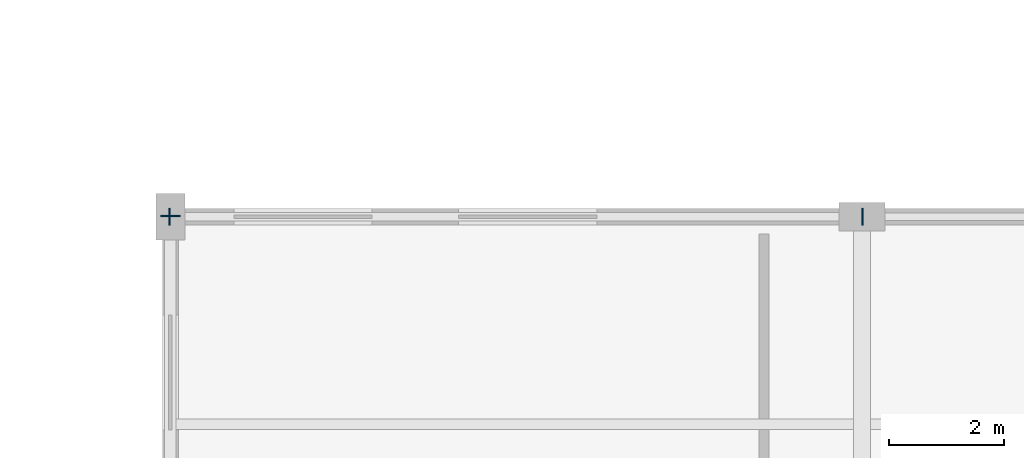
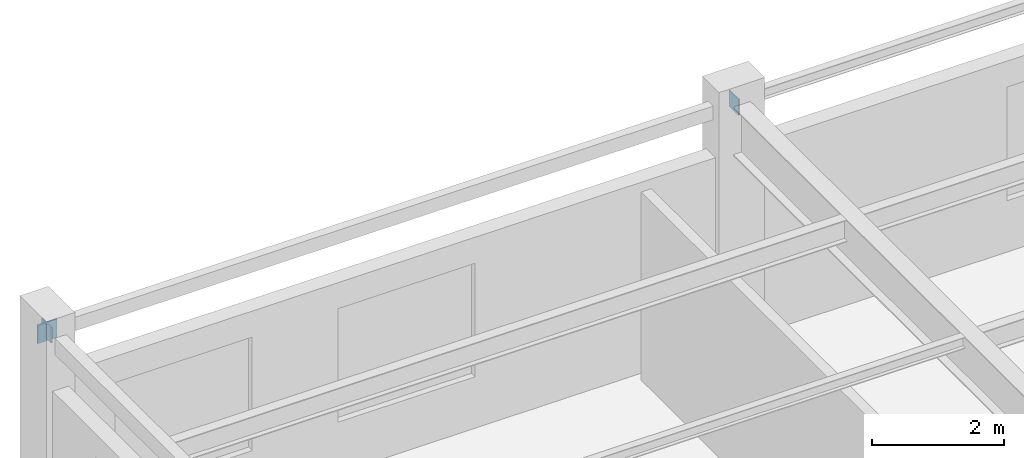
# One storey, part 153 of 199: 3 plates.
"""IFC4 building model written with IfcOpenShell, lengths in metres."""

from ifc_helpers import new_model, si_unit, direction, frame, origin, origin_2d, place, context, subcontext, project, spatial, rectangle, extrude, material, layer, layer_set, type_object, element, save


model = new_model("IFC4")

# Units and contexts
model_context = context("Model", 3, precision=1e-05, world=origin(), true_north=direction((0.0, 1.0)))
body_context = subcontext(model_context, "Body", "Model", "MODEL_VIEW")
ifc_project = project(units=[si_unit("LENGTHUNIT", "METRE"), si_unit("AREAUNIT", "SQUARE_METRE"), si_unit("VOLUMEUNIT", "CUBIC_METRE"), si_unit("PLANEANGLEUNIT", "RADIAN"), si_unit("MASSUNIT", "GRAM", prefix="KILO")], contexts=[model_context])

# Site, building, storey
site_placement = place(None, origin())
site = spatial("IfcSite", under=ifc_project, at=site_placement, CompositionType="ELEMENT")
building_placement = place(site_placement, origin())
building = spatial("IfcBuilding", under=site, at=building_placement, Name="Tarnwether General Hospital", CompositionType="ELEMENT")
storey_placement = place(building_placement, origin())
storey = spatial("IfcBuildingStorey", under=building, at=storey_placement, Name="L00", CompositionType="ELEMENT", Elevation=0.0)

# Plates
ifc_material = material(Name="Steel Grade 350 (350 MPa)", Category="steel")
ifc_layer = layer(ifc_material, 0.02490234375)
ifc_layer_set = layer_set([ifc_layer], Name="Steel Grade 350 (350 MPa)")
plate_type = type_object("IfcPlateType", Name="PT-GUS2", PredefinedType="USERDEFINED", material=ifc_layer_set)
plate_placement = place(storey_placement, frame((0.0, 126.012451171875, 4.125), z_axis=(0.0, 0.0, 1.0), x_axis=(0.0, 1.0, 0.0)))
element("IfcPlate", 1, at=plate_placement, inside=storey, type_object=plate_type, Name="Hollow Section Welded End Cap Plate 0866", ObjectType="GUSSET", PredefinedType="USERDEFINED", context=body_context, shape_type="SweptSolid", body=[
    extrude(rectangle(XDim=0.02490234375, YDim=0.340087890625, at=origin_2d()), origin(), (0.0, 0.0, 1.0), 0.340087890625),
])
for number, where, z_axis, x_axis, name in (
    (2, (-0.012451171875, 126.0, 4.175048828125), (0.0, 0.0, 1.0), (1.0, 0.0, 0.0), "Hollow Section Welded End Cap Plate 0867"),
    (3, (12.012451171875, 126.0, 4.175048828125), (0.0, 0.0, 1.0), (1.0, 0.0, 0.0), "Hollow Section Welded End Cap Plate 0868"),
):
    element("IfcPlate", number, at=place(storey_placement, frame(where, z_axis=z_axis, x_axis=x_axis)), inside=storey, type_object=plate_type, Name=name, ObjectType="GUSSET", PredefinedType="USERDEFINED", context=body_context, shape_type="SweptSolid", body=[
        extrude(rectangle(XDim=0.02490234375, YDim=0.2900390625, at=origin_2d()), origin(), (0.0, 0.0, 1.0), 0.2900390625),
    ])

save(model, "model.ifc")
